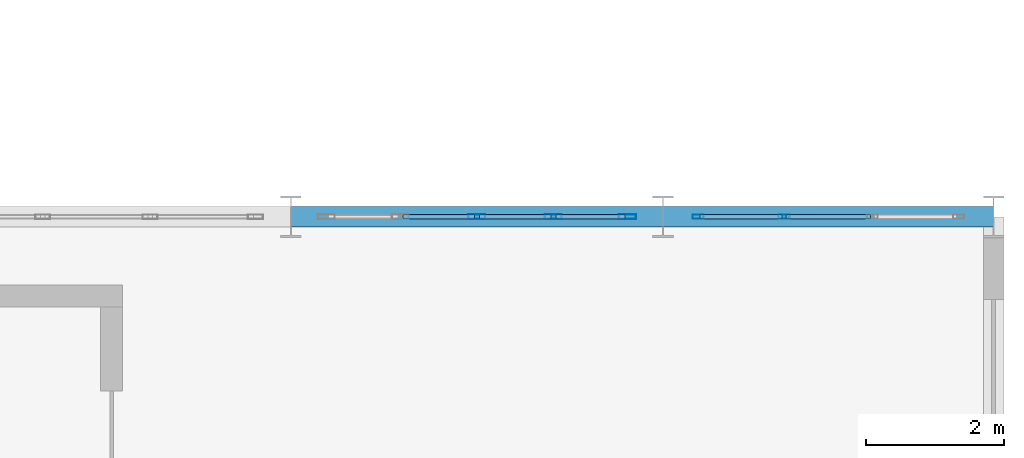
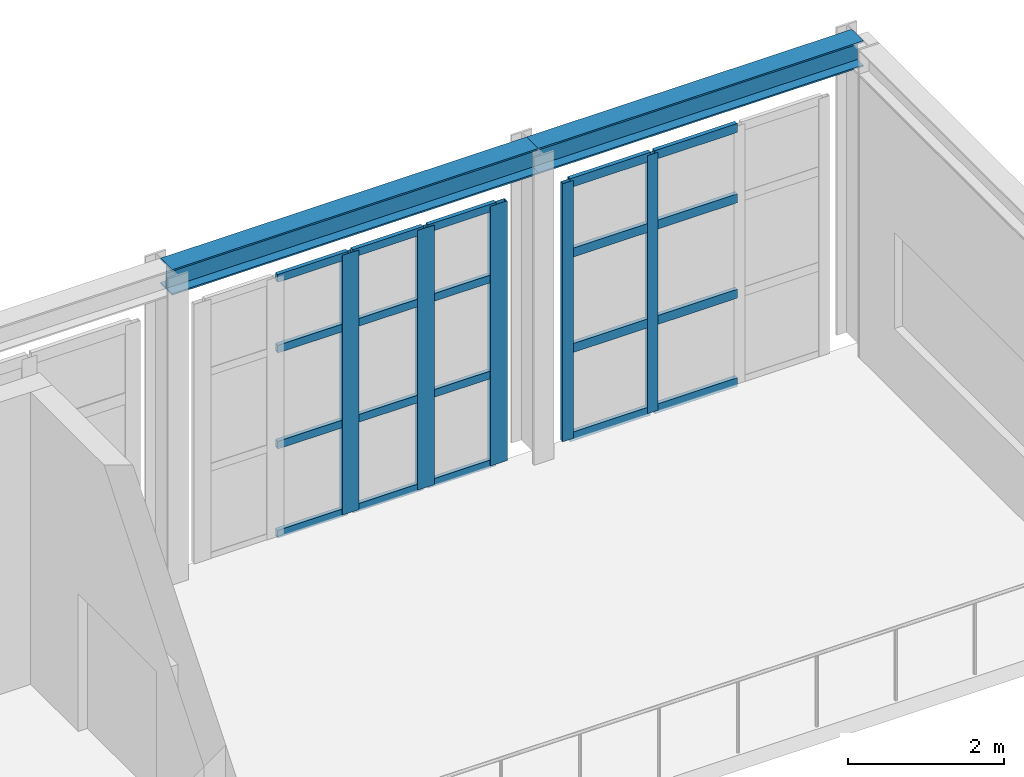
# One storey, part 66 of 126: 25 members, 2 beams, 2 elements without a shape of their own.
"""IFC4 building model written with IfcOpenShell, lengths in metres."""

from ifc_helpers import new_model, si_unit, direction, frame, origin, origin_2d, place, context, subcontext, project, spatial, hollow_rectangle, i_section, extrude, material, layer, layer_set, material_profile, profile_set, type_object, element, aggregate, save


model = new_model("IFC4")

# Units and contexts
model_context = context("Model", 3, precision=1e-05, world=origin(), true_north=direction((0.0, 1.0)))
body_context = subcontext(model_context, "Body", "Model", "MODEL_VIEW")
ifc_project = project(units=[si_unit("LENGTHUNIT", "METRE"), si_unit("AREAUNIT", "SQUARE_METRE"), si_unit("VOLUMEUNIT", "CUBIC_METRE"), si_unit("PLANEANGLEUNIT", "RADIAN"), si_unit("MASSUNIT", "GRAM", prefix="KILO")], contexts=[model_context])

# Site, building, storey
site_placement = place(None, origin())
site = spatial("IfcSite", under=ifc_project, at=site_placement, CompositionType="ELEMENT")
building_placement = place(site_placement, origin())
building = spatial("IfcBuilding", under=site, at=building_placement, Name="Solvadek Multi-Sports Hall", CompositionType="ELEMENT")
storey_placement = place(building_placement, frame((0.0, 0.0, 9.60009765625)))
storey = spatial("IfcBuildingStorey", under=building, at=storey_placement, Name="L02", CompositionType="ELEMENT", Elevation=9.60009765625)

# Curtain wall, members
ifc_material_1 = material(Name="Anodised aluminium", Category="aluminium")
ifc_layer_1 = layer(ifc_material_1, 0.159912109375, Name="Anodised aluminium")
ifc_layer_set_1 = layer_set([ifc_layer_1], Name="Anodised aluminium")
curtain_wall_type_1 = type_object("IfcCurtainWallType", Name="ENV-CW-384X403", PredefinedType="USERDEFINED", material=ifc_layer_set_1)
curtain_wall_1_placement = place(storey_placement, origin())
curtain_wall_1 = element("IfcCurtainWall", 1, at=curtain_wall_1_placement, inside=storey, type_object=curtain_wall_type_1, Name="L02 Perimeter Bay Curtain Wall #142", ObjectType="CURTAIN WALL", PredefinedType="USERDEFINED")
ifc_material_profile_1 = material_profile(ifc_material_1, hollow_rectangle(XDim=0.06005859375, YDim=0.159912109375, WallThickness=0.00390625, at=origin_2d()), Name="ALU-M 160x60x4")
ifc_profile_set_1 = profile_set([ifc_material_profile_1], Name="Anodised aluminium")
member_type_1 = type_object("IfcMemberType", Name="ENV-CWM-01", PredefinedType="MULLION", material=ifc_profile_set_1)
member_1_placement = place(storey_placement, frame((157.110107421875, 70.800048828125, 0.0), z_axis=(0.0, 0.0, 1.0), x_axis=(0.0, 1.0, 0.0)))
member_1 = element("IfcMember", 2, at=member_1_placement, type_object=member_type_1, Name="CW-50 mullion 1", PredefinedType="MULLION", context=body_context, shape_type="SweptSolid", body=[
    extrude(hollow_rectangle(XDim=0.06005859375, YDim=0.159912109375, WallThickness=0.00390625, at=origin_2d()), origin(), (0.0, 0.0, 1.0), 4.02490234375),
])
member_2_placement = place(storey_placement, frame((158.360107421875, 70.800048828125, 0.0), z_axis=(0.0, 0.0, 1.0), x_axis=(0.0, 1.0, 0.0)))
member_2 = element("IfcMember", 3, at=member_2_placement, type_object=member_type_1, Name="CW-50 mullion 2", PredefinedType="MULLION", context=body_context, shape_type="SweptSolid", body=[
    extrude(hollow_rectangle(XDim=0.06005859375, YDim=0.159912109375, WallThickness=0.00390625, at=origin_2d()), origin(), (0.0, 0.0, 1.0), 4.02490234375),
])

ifc_layer_2 = layer(ifc_material_1, 0.159912109375, Name="Anodised aluminium")
ifc_layer_set_2 = layer_set([ifc_layer_2], Name="Anodised aluminium")
curtain_wall_type_2 = type_object("IfcCurtainWallType", Name="ENV-CW-444X405", PredefinedType="USERDEFINED", material=ifc_layer_set_2)
curtain_wall_2_placement = place(storey_placement, origin())
curtain_wall_2 = element("IfcCurtainWall", 4, at=curtain_wall_2_placement, inside=storey, type_object=curtain_wall_type_2, Name="L02 Perimeter Bay Curtain Wall #138", ObjectType="CURTAIN WALL", PredefinedType="USERDEFINED")
ifc_material_profile_2 = material_profile(ifc_material_1, hollow_rectangle(XDim=0.070068359375, YDim=0.25, WallThickness=0.0048828125, at=origin_2d()), Name="ALU-M 250x70x5")
ifc_profile_set_2 = profile_set([ifc_material_profile_2], Name="Anodised aluminium")
member_type_2 = type_object("IfcMemberType", Name="ENV-CWM-05", PredefinedType="MULLION", material=ifc_profile_set_2)
member_3_placement = place(storey_placement, frame((153.89990234375, 70.800048828125, 0.0), z_axis=(0.0, 0.0, 1.0), x_axis=(0.0, 1.0, 0.0)))
member_3 = element("IfcMember", 5, at=member_3_placement, type_object=member_type_2, Name="CW-46 mullion 3", PredefinedType="MULLION", context=body_context, shape_type="SweptSolid", body=[
    extrude(hollow_rectangle(XDim=0.070068359375, YDim=0.25, WallThickness=0.0048828125, at=origin_2d()), origin(), (0.0, 0.0, 1.0), 4.0498046875),
])
member_4_placement = place(storey_placement, frame((155.010009765625, 70.800048828125, 0.0), z_axis=(0.0, 0.0, 1.0), x_axis=(0.0, 1.0, 0.0)))
member_4 = element("IfcMember", 6, at=member_4_placement, type_object=member_type_2, Name="CW-46 mullion 4", PredefinedType="MULLION", context=body_context, shape_type="SweptSolid", body=[
    extrude(hollow_rectangle(XDim=0.070068359375, YDim=0.25, WallThickness=0.0048828125, at=origin_2d()), origin(), (0.0, 0.0, 1.0), 4.0498046875),
])
member_5_placement = place(storey_placement, frame((156.0849609375, 70.800048828125, 0.0), z_axis=(0.0, 0.0, 1.0), x_axis=(0.0, 1.0, 0.0)))
member_5 = element("IfcMember", 7, at=member_5_placement, type_object=member_type_2, Name="CW-46 mullion 5", PredefinedType="MULLION", context=body_context, shape_type="SweptSolid", body=[
    extrude(hollow_rectangle(XDim=0.070068359375, YDim=0.25, WallThickness=0.0048828125, at=origin_2d()), origin(), (0.0, 0.0, 1.0), 4.0498046875),
])
ifc_material_profile_3 = material_profile(ifc_material_1, hollow_rectangle(XDim=0.06005859375, YDim=0.1201171875, WallThickness=0.00390625, at=origin_2d()), Name="ALU-T 120x60x4")
ifc_profile_set_3 = profile_set([ifc_material_profile_3], Name="Anodised aluminium")
member_type_3 = type_object("IfcMemberType", Name="ENV-CWT-01", PredefinedType="USERDEFINED", material=ifc_profile_set_3)
member_6_placement = place(storey_placement, frame((152.824951171875, 70.800048828125, 0.02978515625), z_axis=(1.0, 0.0, 0.0), x_axis=(0.0, 1.0, 0.0)))
member_6 = element("IfcMember", 8, at=member_6_placement, type_object=member_type_3, Name="CW-46 transom 2.1", ObjectType="TRANSOM", PredefinedType="USERDEFINED", context=body_context, shape_type="SweptSolid", body=[
    extrude(hollow_rectangle(XDim=0.06005859375, YDim=0.1201171875, WallThickness=0.00390625, at=origin_2d()), origin(), (0.0, 0.0, 1.0), 1.0400390625),
])
member_7_placement = place(storey_placement, frame((152.824951171875, 70.800048828125, 1.41796875), z_axis=(1.0, 0.0, 0.0), x_axis=(0.0, 1.0, 0.0)))
member_7 = element("IfcMember", 9, at=member_7_placement, type_object=member_type_3, Name="CW-46 transom 2.2", ObjectType="TRANSOM", PredefinedType="USERDEFINED", context=body_context, shape_type="SweptSolid", body=[
    extrude(hollow_rectangle(XDim=0.06005859375, YDim=0.1201171875, WallThickness=0.00390625, at=origin_2d()), origin(), (0.0, 0.0, 1.0), 1.0400390625),
])
member_8_placement = place(storey_placement, frame((152.824951171875, 70.800048828125, 2.916015625), z_axis=(1.0, 0.0, 0.0), x_axis=(0.0, 1.0, 0.0)))
member_8 = element("IfcMember", 10, at=member_8_placement, type_object=member_type_3, Name="CW-46 transom 2.3", ObjectType="TRANSOM", PredefinedType="USERDEFINED", context=body_context, shape_type="SweptSolid", body=[
    extrude(hollow_rectangle(XDim=0.06005859375, YDim=0.1201171875, WallThickness=0.00390625, at=origin_2d()), origin(), (0.0, 0.0, 1.0), 1.0400390625),
])
member_9_placement = place(storey_placement, frame((152.824951171875, 70.800048828125, 4.02001953125), z_axis=(1.0, 0.0, 0.0), x_axis=(0.0, 1.0, 0.0)))
member_9 = element("IfcMember", 11, at=member_9_placement, type_object=member_type_3, Name="CW-46 transom 2.4", ObjectType="TRANSOM", PredefinedType="USERDEFINED", context=body_context, shape_type="SweptSolid", body=[
    extrude(hollow_rectangle(XDim=0.06005859375, YDim=0.1201171875, WallThickness=0.00390625, at=origin_2d()), origin(), (0.0, 0.0, 1.0), 1.0400390625),
])
member_10_placement = place(storey_placement, frame((153.93505859375, 70.800048828125, 0.02978515625), z_axis=(1.0, 0.0, 0.0), x_axis=(0.0, 1.0, 0.0)))
member_10 = element("IfcMember", 12, at=member_10_placement, type_object=member_type_3, Name="CW-46 transom 3.1", ObjectType="TRANSOM", PredefinedType="USERDEFINED", context=body_context, shape_type="SweptSolid", body=[
    extrude(hollow_rectangle(XDim=0.06005859375, YDim=0.1201171875, WallThickness=0.00390625, at=origin_2d()), origin(), (0.0, 0.0, 1.0), 1.0400390625),
])
member_11_placement = place(storey_placement, frame((153.93505859375, 70.800048828125, 1.41796875), z_axis=(1.0, 0.0, 0.0), x_axis=(0.0, 1.0, 0.0)))
member_11 = element("IfcMember", 13, at=member_11_placement, type_object=member_type_3, Name="CW-46 transom 3.2", ObjectType="TRANSOM", PredefinedType="USERDEFINED", context=body_context, shape_type="SweptSolid", body=[
    extrude(hollow_rectangle(XDim=0.06005859375, YDim=0.1201171875, WallThickness=0.00390625, at=origin_2d()), origin(), (0.0, 0.0, 1.0), 1.0400390625),
])
member_12_placement = place(storey_placement, frame((153.93505859375, 70.800048828125, 2.916015625), z_axis=(1.0, 0.0, 0.0), x_axis=(0.0, 1.0, 0.0)))
member_12 = element("IfcMember", 14, at=member_12_placement, type_object=member_type_3, Name="CW-46 transom 3.3", ObjectType="TRANSOM", PredefinedType="USERDEFINED", context=body_context, shape_type="SweptSolid", body=[
    extrude(hollow_rectangle(XDim=0.06005859375, YDim=0.1201171875, WallThickness=0.00390625, at=origin_2d()), origin(), (0.0, 0.0, 1.0), 1.0400390625),
])
member_13_placement = place(storey_placement, frame((153.93505859375, 70.800048828125, 4.02001953125), z_axis=(1.0, 0.0, 0.0), x_axis=(0.0, 1.0, 0.0)))
member_13 = element("IfcMember", 15, at=member_13_placement, type_object=member_type_3, Name="CW-46 transom 3.4", ObjectType="TRANSOM", PredefinedType="USERDEFINED", context=body_context, shape_type="SweptSolid", body=[
    extrude(hollow_rectangle(XDim=0.06005859375, YDim=0.1201171875, WallThickness=0.00390625, at=origin_2d()), origin(), (0.0, 0.0, 1.0), 1.0400390625),
])
member_14_placement = place(storey_placement, frame((155.044921875, 70.800048828125, 0.02978515625), z_axis=(1.0, 0.0, 0.0), x_axis=(0.0, 1.0, 0.0)))
member_14 = element("IfcMember", 16, at=member_14_placement, type_object=member_type_3, Name="CW-46 transom 4.1", ObjectType="TRANSOM", PredefinedType="USERDEFINED", context=body_context, shape_type="SweptSolid", body=[
    extrude(hollow_rectangle(XDim=0.06005859375, YDim=0.1201171875, WallThickness=0.00390625, at=origin_2d()), origin(), (0.0, 0.0, 1.0), 1.005126953125),
])
member_15_placement = place(storey_placement, frame((155.044921875, 70.800048828125, 1.41796875), z_axis=(1.0, 0.0, 0.0), x_axis=(0.0, 1.0, 0.0)))
member_15 = element("IfcMember", 17, at=member_15_placement, type_object=member_type_3, Name="CW-46 transom 4.2", ObjectType="TRANSOM", PredefinedType="USERDEFINED", context=body_context, shape_type="SweptSolid", body=[
    extrude(hollow_rectangle(XDim=0.06005859375, YDim=0.1201171875, WallThickness=0.00390625, at=origin_2d()), origin(), (0.0, 0.0, 1.0), 1.005126953125),
])
member_16_placement = place(storey_placement, frame((155.044921875, 70.800048828125, 2.916015625), z_axis=(1.0, 0.0, 0.0), x_axis=(0.0, 1.0, 0.0)))
member_16 = element("IfcMember", 18, at=member_16_placement, type_object=member_type_3, Name="CW-46 transom 4.3", ObjectType="TRANSOM", PredefinedType="USERDEFINED", context=body_context, shape_type="SweptSolid", body=[
    extrude(hollow_rectangle(XDim=0.06005859375, YDim=0.1201171875, WallThickness=0.00390625, at=origin_2d()), origin(), (0.0, 0.0, 1.0), 1.005126953125),
])
member_17_placement = place(storey_placement, frame((155.044921875, 70.800048828125, 4.02001953125), z_axis=(1.0, 0.0, 0.0), x_axis=(0.0, 1.0, 0.0)))
member_17 = element("IfcMember", 19, at=member_17_placement, type_object=member_type_3, Name="CW-46 transom 4.4", ObjectType="TRANSOM", PredefinedType="USERDEFINED", context=body_context, shape_type="SweptSolid", body=[
    extrude(hollow_rectangle(XDim=0.06005859375, YDim=0.1201171875, WallThickness=0.00390625, at=origin_2d()), origin(), (0.0, 0.0, 1.0), 1.005126953125),
])
aggregate(curtain_wall_2, [member_3, member_4, member_5, member_6, member_7, member_8, member_9, member_10, member_11, member_12, member_13, member_14, member_15, member_16, member_17])

# Member
ifc_material_profile_4 = material_profile(ifc_material_1, hollow_rectangle(XDim=0.06005859375, YDim=0.139892578125, WallThickness=0.00390625, at=origin_2d()), Name="ALU-T 140x60x4")
ifc_profile_set_4 = profile_set([ifc_material_profile_4], Name="Anodised aluminium")
member_type_4 = type_object("IfcMemberType", Name="ENV-CWT-02", PredefinedType="USERDEFINED", material=ifc_profile_set_4)
member_18_placement = place(storey_placement, frame((157.139892578125, 70.800048828125, 0.02978515625), z_axis=(1.0, 0.0, 0.0), x_axis=(0.0, 1.0, 0.0)))
member_18 = element("IfcMember", 20, at=member_18_placement, type_object=member_type_4, Name="CW-50 transom 1.1", ObjectType="TRANSOM", PredefinedType="USERDEFINED", context=body_context, shape_type="SweptSolid", body=[
    extrude(hollow_rectangle(XDim=0.06005859375, YDim=0.139892578125, WallThickness=0.00390625, at=origin_2d()), origin(), (0.0, 0.0, 1.0), 1.190185546875),
])

member_19_placement = place(storey_placement, frame((157.139892578125, 70.800048828125, 1.408935546875), z_axis=(1.0, 0.0, 0.0), x_axis=(0.0, 1.0, 0.0)))
member_19 = element("IfcMember", 21, at=member_19_placement, type_object=member_type_4, Name="CW-50 transom 1.2", ObjectType="TRANSOM", PredefinedType="USERDEFINED", context=body_context, shape_type="SweptSolid", body=[
    extrude(hollow_rectangle(XDim=0.06005859375, YDim=0.139892578125, WallThickness=0.00390625, at=origin_2d()), origin(), (0.0, 0.0, 1.0), 1.190185546875),
])

member_20_placement = place(storey_placement, frame((157.139892578125, 70.800048828125, 2.89794921875), z_axis=(1.0, 0.0, 0.0), x_axis=(0.0, 1.0, 0.0)))
member_20 = element("IfcMember", 22, at=member_20_placement, type_object=member_type_4, Name="CW-50 transom 1.3", ObjectType="TRANSOM", PredefinedType="USERDEFINED", context=body_context, shape_type="SweptSolid", body=[
    extrude(hollow_rectangle(XDim=0.06005859375, YDim=0.139892578125, WallThickness=0.00390625, at=origin_2d()), origin(), (0.0, 0.0, 1.0), 1.190185546875),
])

member_21_placement = place(storey_placement, frame((157.139892578125, 70.800048828125, 3.994873046875), z_axis=(1.0, 0.0, 0.0), x_axis=(0.0, 1.0, 0.0)))
member_21 = element("IfcMember", 23, at=member_21_placement, type_object=member_type_4, Name="CW-50 transom 1.4", ObjectType="TRANSOM", PredefinedType="USERDEFINED", context=body_context, shape_type="SweptSolid", body=[
    extrude(hollow_rectangle(XDim=0.06005859375, YDim=0.139892578125, WallThickness=0.00390625, at=origin_2d()), origin(), (0.0, 0.0, 1.0), 1.190185546875),
])

member_22_placement = place(storey_placement, frame((158.389892578125, 70.800048828125, 0.02978515625), z_axis=(1.0, 0.0, 0.0), x_axis=(0.0, 1.0, 0.0)))
member_22 = element("IfcMember", 24, at=member_22_placement, type_object=member_type_4, Name="CW-50 transom 2.1", ObjectType="TRANSOM", PredefinedType="USERDEFINED", context=body_context, shape_type="SweptSolid", body=[
    extrude(hollow_rectangle(XDim=0.06005859375, YDim=0.139892578125, WallThickness=0.00390625, at=origin_2d()), origin(), (0.0, 0.0, 1.0), 1.22021484375),
])

member_23_placement = place(storey_placement, frame((158.389892578125, 70.800048828125, 1.408935546875), z_axis=(1.0, 0.0, 0.0), x_axis=(0.0, 1.0, 0.0)))
member_23 = element("IfcMember", 25, at=member_23_placement, type_object=member_type_4, Name="CW-50 transom 2.2", ObjectType="TRANSOM", PredefinedType="USERDEFINED", context=body_context, shape_type="SweptSolid", body=[
    extrude(hollow_rectangle(XDim=0.06005859375, YDim=0.139892578125, WallThickness=0.00390625, at=origin_2d()), origin(), (0.0, 0.0, 1.0), 1.22021484375),
])

member_24_placement = place(storey_placement, frame((158.389892578125, 70.800048828125, 2.89794921875), z_axis=(1.0, 0.0, 0.0), x_axis=(0.0, 1.0, 0.0)))
member_24 = element("IfcMember", 26, at=member_24_placement, type_object=member_type_4, Name="CW-50 transom 2.3", ObjectType="TRANSOM", PredefinedType="USERDEFINED", context=body_context, shape_type="SweptSolid", body=[
    extrude(hollow_rectangle(XDim=0.06005859375, YDim=0.139892578125, WallThickness=0.00390625, at=origin_2d()), origin(), (0.0, 0.0, 1.0), 1.22021484375),
])

member_25_placement = place(storey_placement, frame((158.389892578125, 70.800048828125, 3.994873046875), z_axis=(1.0, 0.0, 0.0), x_axis=(0.0, 1.0, 0.0)))
member_25 = element("IfcMember", 27, at=member_25_placement, type_object=member_type_4, Name="CW-50 transom 2.4", ObjectType="TRANSOM", PredefinedType="USERDEFINED", context=body_context, shape_type="SweptSolid", body=[
    extrude(hollow_rectangle(XDim=0.06005859375, YDim=0.139892578125, WallThickness=0.00390625, at=origin_2d()), origin(), (0.0, 0.0, 1.0), 1.22021484375),
])

aggregate(curtain_wall_1, [member_1, member_2, member_18, member_19, member_20, member_21, member_22, member_23, member_24, member_25])

# Beams
ifc_material_2 = material(Name="Steel E350 (350 MPa)", Category="steel")
ifc_material_profile_5 = material_profile(ifc_material_2, i_section(OverallWidth=0.300048828125, OverallDepth=0.39990234375, WebThickness=0.013427734375, FlangeThickness=0.02392578125, at=origin_2d()), Name="WPB 400")
ifc_profile_set_5 = profile_set([ifc_material_profile_5], Name="Steel E350 (350 MPa)")
beam_type = type_object("IfcBeamType", Name="STR-SPN-WPB400", PredefinedType="SPANDREL", material=ifc_profile_set_5)
beam_1_placement = place(storey_placement, frame((151.199951171875, 70.800048828125, 4.599853515625), z_axis=(1.0, 0.0, 0.0), x_axis=(0.0, 1.0, 0.0)))
element("IfcBeam", 28, at=beam_1_placement, inside=storey, type_object=beam_type, Name="L02 V2 Perimeter Spandrel #83", PredefinedType="SPANDREL", context=body_context, shape_type="SweptSolid", body=[
    extrude(i_section(OverallWidth=0.300048828125, OverallDepth=0.39990234375, WebThickness=0.013427734375, FlangeThickness=0.02392578125, at=origin_2d()), origin(), (0.0, 0.0, 1.0), 5.400146484375),
])
beam_2_placement = place(storey_placement, frame((156.60009765625, 70.800048828125, 4.599853515625), z_axis=(1.0, 0.0, 0.0), x_axis=(0.0, 1.0, 0.0)))
element("IfcBeam", 29, at=beam_2_placement, inside=storey, type_object=beam_type, Name="L02 V2 Perimeter Spandrel #84", PredefinedType="SPANDREL", context=body_context, shape_type="SweptSolid", body=[
    extrude(i_section(OverallWidth=0.300048828125, OverallDepth=0.39990234375, WebThickness=0.013427734375, FlangeThickness=0.02392578125, at=origin_2d()), origin(), (0.0, 0.0, 1.0), 4.7998046875),
])

save(model, "model.ifc")
